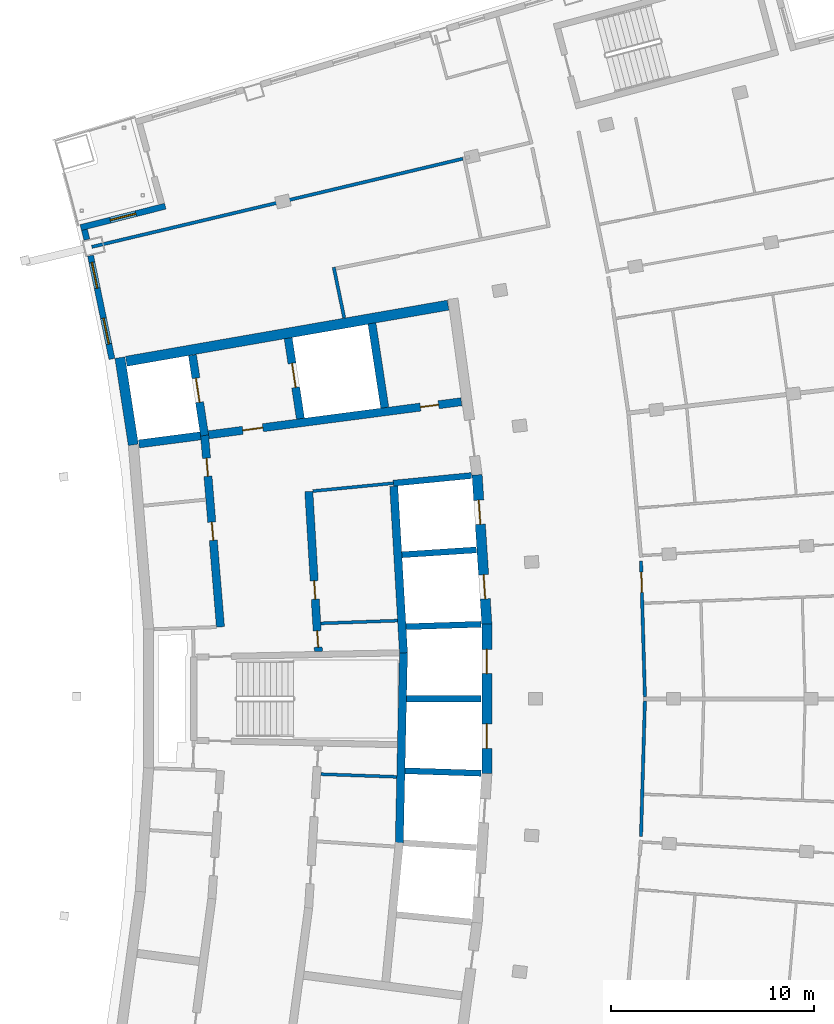
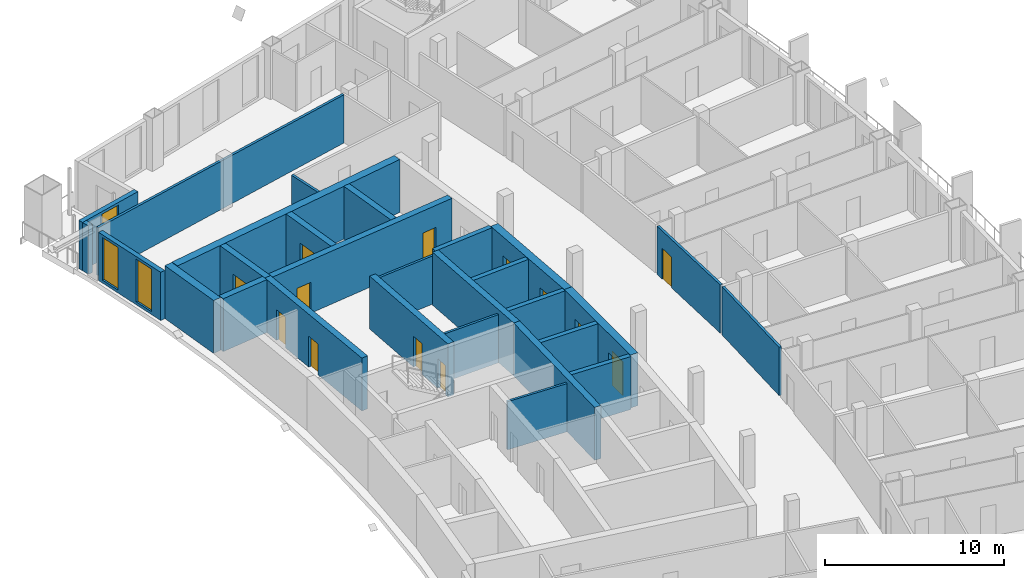
# One storey, part 10 of 17: 28 walls, 13 doors, 3 windows, 16 openings.
"""IFC4 building model written with IfcOpenShell, lengths in metres."""

from ifc_helpers import new_model, si_unit, direction, frame, frame_2d, origin, place, context, subcontext, project, spatial, rectangle, extrude, material, layer, layer_set, type_object, element, fill, save


model = new_model("IFC4")

# Units and contexts
model_context = context("Model", 3, precision=1e-05, world=origin(), true_north=direction((0.0, 1.0)))
body_context = subcontext(model_context, "Body", "Model", "MODEL_VIEW")
ifc_project = project(units=[si_unit("LENGTHUNIT", "METRE"), si_unit("AREAUNIT", "SQUARE_METRE"), si_unit("VOLUMEUNIT", "CUBIC_METRE"), si_unit("PLANEANGLEUNIT", "RADIAN"), si_unit("MASSUNIT", "GRAM", prefix="KILO")], contexts=[model_context])

# Site, building, storey
site_placement = place(None, origin())
site = spatial("IfcSite", under=ifc_project, at=site_placement, CompositionType="ELEMENT")
building_placement = place(site_placement, origin())
building = spatial("IfcBuilding", under=site, at=building_placement, Name="Alderwake Tower", CompositionType="ELEMENT")
storey_placement = place(building_placement, frame((0.0, 0.0, 274.39990234375)))
storey = spatial("IfcBuildingStorey", under=building, at=storey_placement, Name="L68", CompositionType="ELEMENT", Elevation=274.39990234375)

# Walls
ifc_material_1 = material(Name="Gypsum shaft wall system, rated")
ifc_layer_1 = layer(ifc_material_1, 0.14990234375)
ifc_layer_set_1 = layer_set([ifc_layer_1], Name="Core riser partition 150")
wall_type_1 = type_object("IfcWallType", Name="Core riser partition 150", PredefinedType="PARTITIONING", material=ifc_layer_set_1)
wall_1_placement = place(storey_placement, frame((25.1904296875, 57.276611328125, 0.0), z_axis=(0.0, 0.0, 1.0), x_axis=(0.99937350076, -0.035392173974, 0.0)))
element("IfcWall", 1, at=wall_1_placement, inside=storey, type_object=wall_type_1, Name="CW/L68/PR-37_+86", PredefinedType="PARTITIONING", context=body_context, shape_type="SweptSolid", body=[
    extrude(rectangle(XDim=3.752685546875, YDim=0.14990234375, at=frame_2d((1.87646484375, 0.0))), origin(), (0.0, 0.0, 1.0), 3.280029296875),
])
wall_2_placement = place(storey_placement, frame((25.191162109375, 64.723388671875, 0.0), z_axis=(0.0, 0.0, 1.0), x_axis=(0.999373627871, 0.035388584556, 0.0)))
element("IfcWall", 2, at=wall_2_placement, inside=storey, type_object=wall_type_1, Name="CW/L68/PR+37_+86", PredefinedType="PARTITIONING", context=body_context, shape_type="SweptSolid", body=[
    extrude(rectangle(XDim=3.79443359375, YDim=0.14990234375, at=frame_2d((1.897216796875, 0.0))), origin(), (0.0, 0.0, 1.0), 3.280029296875),
])
ifc_material_2 = material(Name="Gypsum shaft wall system, rated")
ifc_layer_2 = layer(ifc_material_2, 0.14990234375)
ifc_layer_set_2 = layer_set([ifc_layer_2], Name="Core room partition 150")
wall_type_2 = type_object("IfcWallType", Name="Core room partition 150", PredefinedType="PARTITIONING", material=ifc_layer_set_2)
wall_3_placement = place(storey_placement, frame((24.799560546875, 71.2548828125, 0.0), z_axis=(0.0, 0.0, 1.0), x_axis=(0.995250000627, 0.097352125046, 0.0)))
element("IfcWall", 3, at=wall_3_placement, inside=storey, type_object=wall_type_2, Name="CW/L68/PR+102_+86", PredefinedType="PARTITIONING", context=body_context, shape_type="SweptSolid", body=[
    extrude(rectangle(XDim=4.0, YDim=0.14990234375, at=frame_2d((2.0, 0.0))), origin(), (0.0, 0.0, 1.0), 3.280029296875),
])
ifc_material_3 = material(Name="Concrete C70/85", Category="concrete")
ifc_layer_3 = layer(ifc_material_3, 0.5)
ifc_layer_set_3 = layer_set([ifc_layer_3], Name="Core wall outer 500 C70-85")
wall_type_3 = type_object("IfcWallType", Name="Core wall outer 500 C70-85", PredefinedType="SHEAR", material=ifc_layer_set_3)
wall_4_placement = place(storey_placement, frame((15.934326171875, 73.5380859375, 0.0), z_axis=(0.0, 0.0, 1.0), x_axis=(-0.151947718368, 0.988388532351, 0.0)))
element("IfcWall", 4, at=wall_4_placement, inside=storey, type_object=wall_type_3, Name="Core wall CW.025", PredefinedType="SHEAR", context=body_context, shape_type="SweptSolid", body=[
    extrude(rectangle(XDim=4.357421875, YDim=0.5, at=frame_2d((2.1787109375, 0.0))), origin(), (0.0, 0.0, 1.0), 3.60009765625),
])

# Wall, openings, doors
wall_5_placement = place(storey_placement, frame((33.389892578125, 57.30322265625, 0.0), z_axis=(0.0, 0.0, 1.0), x_axis=(0.0, 1.0, 0.0)))
wall_5 = element("IfcWall", 5, at=wall_5_placement, inside=storey, type_object=wall_type_3, Name="Core wall CW.023", PredefinedType="SHEAR", context=body_context, shape_type="SweptSolid", body=[
    extrude(rectangle(XDim=7.3935546875, YDim=0.5, at=frame_2d((3.69677734375, 0.0))), origin(), (0.0, 0.0, 1.0), 3.60009765625),
])
opening_1_placement = place(wall_5_placement, frame((1.25244140625, 0.0, 0.0)))
opening_1 = element("IfcOpeningElement", 6, at=opening_1_placement, cuts=wall_5, Name="Opening LD-HP3", PredefinedType="OPENING", context=body_context, shape_type="SweptSolid", body=[
    extrude(rectangle(XDim=1.199951171875, YDim=2.300048828125, at=frame_2d((0.60009765625, 1.14990234375))), frame((0.0, 0.260009765625, 0.0), z_axis=(0.0, -1.0, 0.0), x_axis=(1.0, 0.0, 0.0)), (0.0, 0.0, 1.0), 0.52001953125),
])
opening_2_placement = place(wall_5_placement, frame((4.94091796875, 0.0, 0.0)))
opening_2 = element("IfcOpeningElement", 7, at=opening_2_placement, cuts=wall_5, Name="Opening LD-HP4", PredefinedType="OPENING", context=body_context, shape_type="SweptSolid", body=[
    extrude(rectangle(XDim=1.199951171875, YDim=2.300048828125, at=frame_2d((0.60009765625, 1.14990234375))), frame((0.0, 0.260009765625, 0.0), z_axis=(0.0, -1.0, 0.0), x_axis=(1.0, 0.0, 0.0)), (0.0, 0.0, 1.0), 0.52001953125),
])
ifc_material_4 = material(Name="Stainless steel sliding leaf", Category="steel")
door_type_1 = type_object("IfcDoorType", Name="Lift landing door 1200", OperationType="SLIDING_TO_LEFT", PredefinedType="DOOR", material=ifc_material_4)
door_1_placement = place(opening_1_placement, origin())
door_1 = element("IfcDoor", 8, at=door_1_placement, inside=storey, type_object=door_type_1, Name="Lift landing door HP3", OperationType="SLIDING_TO_LEFT", OverallHeight=2.300048828125, OverallWidth=1.199951171875, PredefinedType="DOOR", context=body_context, shape_type="SweptSolid", body=[
    extrude(rectangle(XDim=1.199951171875, YDim=2.300048828125, at=frame_2d((0.60009765625, 1.14990234375))), frame((0.0, 0.02490234375, 0.0), z_axis=(0.0, -1.0, 0.0), x_axis=(1.0, 0.0, 0.0)), (0.0, 0.0, 1.0), 0.050048828125),
])
fill(opening_1, door_1)
door_2_placement = place(opening_2_placement, origin())
door_2 = element("IfcDoor", 9, at=door_2_placement, inside=storey, type_object=door_type_1, Name="Lift landing door HP4", OperationType="SLIDING_TO_LEFT", OverallHeight=2.300048828125, OverallWidth=1.199951171875, PredefinedType="DOOR", context=body_context, shape_type="SweptSolid", body=[
    extrude(rectangle(XDim=1.199951171875, YDim=2.300048828125, at=frame_2d((0.60009765625, 1.14990234375))), frame((0.0, 0.02490234375, 0.0), z_axis=(0.0, -1.0, 0.0), x_axis=(1.0, 0.0, 0.0)), (0.0, 0.0, 1.0), 0.050048828125),
])
fill(opening_2, door_2)

wall_6_placement = place(storey_placement, frame((33.390625, 64.679443359375, 0.0), z_axis=(0.0, 0.0, 1.0), x_axis=(-0.064980500916, 0.997886533881, 0.0)))
wall_6 = element("IfcWall", 10, at=wall_6_placement, inside=storey, type_object=wall_type_3, Name="Core wall CW.020", PredefinedType="SHEAR", context=body_context, shape_type="SweptSolid", body=[
    extrude(rectangle(XDim=7.39404296875, YDim=0.5, at=frame_2d((3.697021484375, 0.0))), origin(), (0.0, 0.0, 1.0), 3.60009765625),
])
opening_3_placement = place(wall_6_placement, frame((1.25244140625, 0.0, 0.0)))
opening_3 = element("IfcOpeningElement", 11, at=opening_3_placement, cuts=wall_6, Name="Opening LD-HP5", PredefinedType="OPENING", context=body_context, shape_type="SweptSolid", body=[
    extrude(rectangle(XDim=1.199951171875, YDim=2.300048828125, at=frame_2d((0.60009765625, 1.14990234375))), frame((0.0, 0.260009765625, 0.0), z_axis=(0.0, -1.0, 0.0), x_axis=(1.0, 0.0, 0.0)), (0.0, 0.0, 1.0), 0.52001953125),
])
opening_4_placement = place(wall_6_placement, frame((4.94091796875, 0.0, 0.0)))
opening_4 = element("IfcOpeningElement", 12, at=opening_4_placement, cuts=wall_6, Name="Opening LD-HP6", PredefinedType="OPENING", context=body_context, shape_type="SweptSolid", body=[
    extrude(rectangle(XDim=1.199951171875, YDim=2.300048828125, at=frame_2d((0.60009765625, 1.14990234375))), frame((0.0, 0.260009765625, 0.0), z_axis=(0.0, -1.0, 0.0), x_axis=(1.0, 0.0, 0.0)), (0.0, 0.0, 1.0), 0.52001953125),
])
door_3_placement = place(opening_3_placement, origin())
door_3 = element("IfcDoor", 13, at=door_3_placement, inside=storey, type_object=door_type_1, Name="Lift landing door HP5", OperationType="SLIDING_TO_LEFT", OverallHeight=2.300048828125, OverallWidth=1.199951171875, PredefinedType="DOOR", context=body_context, shape_type="SweptSolid", body=[
    extrude(rectangle(XDim=1.199951171875, YDim=2.300048828125, at=frame_2d((0.60009765625, 1.14990234375))), frame((0.0, 0.02490234375, 0.0), z_axis=(0.0, -1.0, 0.0), x_axis=(1.0, 0.0, 0.0)), (0.0, 0.0, 1.0), 0.050048828125),
])
fill(opening_3, door_3)
door_4_placement = place(opening_4_placement, origin())
door_4 = element("IfcDoor", 14, at=door_4_placement, inside=storey, type_object=door_type_1, Name="Lift landing door HP6", OperationType="SLIDING_TO_LEFT", OverallHeight=2.300048828125, OverallWidth=1.199951171875, PredefinedType="DOOR", context=body_context, shape_type="SweptSolid", body=[
    extrude(rectangle(XDim=1.199951171875, YDim=2.300048828125, at=frame_2d((0.60009765625, 1.14990234375))), frame((0.0, 0.02490234375, 0.0), z_axis=(0.0, -1.0, 0.0), x_axis=(1.0, 0.0, 0.0)), (0.0, 0.0, 1.0), 0.050048828125),
])
fill(opening_4, door_4)

# Walls
wall_7_placement = place(storey_placement, frame((15.583251953125, 77.664306640625, 0.0), z_axis=(0.0, 0.0, 1.0), x_axis=(0.985139146221, 0.171758151429, 0.0)))
element("IfcWall", 15, at=wall_7_placement, inside=storey, type_object=wall_type_3, Name="Core wall CW.055", PredefinedType="SHEAR", context=body_context, shape_type="SweptSolid", body=[
    extrude(rectangle(XDim=16.134521484375, YDim=0.5, at=frame_2d((8.0673828125, 0.0))), origin(), (0.0, 0.0, 1.0), 3.60009765625),
])
ifc_material_5 = material(Name="Concrete C70/85", Category="concrete")
ifc_layer_4 = layer(ifc_material_5, 0.300048828125)
ifc_layer_set_4 = layer_set([ifc_layer_4], Name="Core wall shaft 300 C70-85")
wall_type_4 = type_object("IfcWallType", Name="Core wall shaft 300 C70-85", PredefinedType="SHEAR", material=ifc_layer_set_4)
wall_8_placement = place(storey_placement, frame((29.347412109375, 57.443603515625, 0.0), z_axis=(0.0, 0.0, 1.0), x_axis=(0.99946995342, -0.032554757112, 0.0)))
element("IfcWall", 16, at=wall_8_placement, inside=storey, type_object=wall_type_4, Name="Core wall CW.075", PredefinedType="SHEAR", context=body_context, shape_type="SweptSolid", body=[
    extrude(rectangle(XDim=3.7646484375, YDim=0.300048828125, at=frame_2d((1.88232421875, 0.0))), origin(), (0.0, 0.0, 1.0), 3.60009765625),
])
wall_9_placement = place(storey_placement, frame((29.426025390625, 61.0, 0.0), z_axis=(0.0, 0.0, 1.0), x_axis=(1.0, 0.0, 0.0)))
element("IfcWall", 17, at=wall_9_placement, inside=storey, type_object=wall_type_4, Name="Core wall CW.048", PredefinedType="SHEAR", context=body_context, shape_type="SweptSolid", body=[
    extrude(rectangle(XDim=3.68408203125, YDim=0.300048828125, at=frame_2d((1.842041015625, 0.0))), origin(), (0.0, 0.0, 1.0), 3.60009765625),
])
wall_10_placement = place(storey_placement, frame((29.401611328125, 64.558349609375, 0.0), z_axis=(0.0, 0.0, 1.0), x_axis=(0.99947159852, 0.032504211301, 0.0)))
element("IfcWall", 18, at=wall_10_placement, inside=storey, type_object=wall_type_4, Name="Core wall CW.058", PredefinedType="SHEAR", context=body_context, shape_type="SweptSolid", body=[
    extrude(rectangle(XDim=3.71044921875, YDim=0.300048828125, at=frame_2d((1.855224609375, 0.0))), origin(), (0.0, 0.0, 1.0), 3.60009765625),
])
wall_11_placement = place(storey_placement, frame((29.193603515625, 68.110595703125, 0.0), z_axis=(0.0, 0.0, 1.0), x_axis=(0.997885994006, 0.064988791085, 0.0)))
element("IfcWall", 19, at=wall_11_placement, inside=storey, type_object=wall_type_4, Name="Core wall CW.061", PredefinedType="SHEAR", context=body_context, shape_type="SweptSolid", body=[
    extrude(rectangle(XDim=3.685302734375, YDim=0.300048828125, at=frame_2d((1.8427734375, 0.0))), origin(), (0.0, 0.0, 1.0), 3.60009765625),
])
wall_12_placement = place(storey_placement, frame((28.780517578125, 71.644287109375, 0.0), z_axis=(0.0, 0.0, 1.0), x_axis=(0.995244248631, 0.097410910928, 0.0)))
element("IfcWall", 20, at=wall_12_placement, inside=storey, type_object=wall_type_4, Name="Core wall CW.049", PredefinedType="SHEAR", context=body_context, shape_type="SweptSolid", body=[
    extrude(rectangle(XDim=3.86962890625, YDim=0.300048828125, at=frame_2d((1.934814453125, 0.0))), origin(), (0.0, 0.0, 1.0), 3.60009765625),
])

# Wall, openings, doors
ifc_material_6 = material(Name="Concrete C70/85", Category="concrete")
ifc_layer_5 = layer(ifc_material_6, 0.39990234375)
ifc_layer_set_5 = layer_set([ifc_layer_5], Name="Core wall spine 400 C70-85")
wall_type_5 = type_object("IfcWallType", Name="Core wall spine 400 C70-85", PredefinedType="SHEAR", material=ifc_layer_set_5)
wall_13_placement = place(storey_placement, frame((19.452392578125, 74.014892578125, 0.0), z_axis=(0.0, 0.0, 1.0), x_axis=(0.082628585297, -0.996580411654, 0.0)))
wall_13 = element("IfcWall", 21, at=wall_13_placement, inside=storey, type_object=wall_type_5, Name="Core wall CW.031", PredefinedType="SHEAR", context=body_context, shape_type="SweptSolid", body=[
    extrude(rectangle(XDim=9.499267578125, YDim=0.39990234375, at=frame_2d((4.74951171875, 0.0))), origin(), (0.0, 0.0, 1.0), 3.60009765625),
])
opening_5_placement = place(wall_13_placement, frame((4.30322265625, 0.0, 0.0)))
opening_5 = element("IfcOpeningElement", 22, at=opening_5_placement, cuts=wall_13, Name="Opening C052", PredefinedType="OPENING", context=body_context, shape_type="SweptSolid", body=[
    extrude(rectangle(XDim=0.89990234375, YDim=2.10009765625, at=frame_2d((0.449951171875, 1.050048828125))), frame((0.0, 0.2099609375, 0.0), z_axis=(0.0, -1.0, 0.0), x_axis=(1.0, 0.0, 0.0)), (0.0, 0.0, 1.0), 0.419921875),
])
opening_6_placement = place(wall_13_placement, frame((1.138671875, 0.0, 0.0)))
opening_6 = element("IfcOpeningElement", 23, at=opening_6_placement, cuts=wall_13, Name="Opening C056", PredefinedType="OPENING", context=body_context, shape_type="SweptSolid", body=[
    extrude(rectangle(XDim=0.89990234375, YDim=2.10009765625, at=frame_2d((0.449951171875, 1.050048828125))), frame((0.0, 0.2099609375, 0.0), z_axis=(0.0, -1.0, 0.0), x_axis=(1.0, 0.0, 0.0)), (0.0, 0.0, 1.0), 0.419921875),
])
ifc_material_7 = material(Name="Painted steel leaf", Category="steel")
door_type_2 = type_object("IfcDoorType", Name="Core room door 900", OperationType="SINGLE_SWING_LEFT", PredefinedType="DOOR", material=ifc_material_7)
door_5_placement = place(opening_5_placement, origin())
door_5 = element("IfcDoor", 24, at=door_5_placement, inside=storey, type_object=door_type_2, Name="Room door", OperationType="SINGLE_SWING_LEFT", OverallHeight=2.10009765625, OverallWidth=0.89990234375, PredefinedType="DOOR", context=body_context, shape_type="SweptSolid", body=[
    extrude(rectangle(XDim=0.89990234375, YDim=2.10009765625, at=frame_2d((0.449951171875, 1.050048828125))), frame((0.0, 0.02490234375, 0.0), z_axis=(0.0, -1.0, 0.0), x_axis=(1.0, 0.0, 0.0)), (0.0, 0.0, 1.0), 0.050048828125),
])
fill(opening_5, door_5)
door_6_placement = place(opening_6_placement, origin())
door_6 = element("IfcDoor", 25, at=door_6_placement, inside=storey, type_object=door_type_2, Name="Room door", OperationType="SINGLE_SWING_RIGHT", OverallHeight=2.10009765625, OverallWidth=0.89990234375, PredefinedType="DOOR", context=body_context, shape_type="SweptSolid", body=[
    extrude(rectangle(XDim=0.89990234375, YDim=2.10009765625, at=frame_2d((0.449951171875, 1.050048828125))), frame((0.0, 0.02490234375, 0.0), z_axis=(0.0, -1.0, 0.0), x_axis=(1.0, 0.0, 0.0)), (0.0, 0.0, 1.0), 0.050048828125),
])
fill(opening_6, door_6)

# Wall, opening, door
wall_14_placement = place(storey_placement, frame((19.4541015625, 74.00048828125, 0.0), z_axis=(0.0, 0.0, 1.0), x_axis=(-0.149461330246, 0.988767571657, 0.0)))
wall_14 = element("IfcWall", 26, at=wall_14_placement, inside=storey, type_object=wall_type_5, Name="Core wall CW.030", PredefinedType="SHEAR", context=body_context, shape_type="SweptSolid", body=[
    extrude(rectangle(XDim=4.01513671875, YDim=0.39990234375, at=frame_2d((2.007568359375, 0.0))), origin(), (0.0, 0.0, 1.0), 3.60009765625),
])
opening_7_placement = place(wall_14_placement, frame((1.6611328125, 0.0, 0.0)))
opening_7 = element("IfcOpeningElement", 27, at=opening_7_placement, cuts=wall_14, Name="Opening LD-FF1", PredefinedType="OPENING", context=body_context, shape_type="SweptSolid", body=[
    extrude(rectangle(XDim=1.199951171875, YDim=2.300048828125, at=frame_2d((0.60009765625, 1.14990234375))), frame((0.0, 0.2099609375, 0.0), z_axis=(0.0, -1.0, 0.0), x_axis=(1.0, 0.0, 0.0)), (0.0, 0.0, 1.0), 0.419921875),
])
door_7_placement = place(opening_7_placement, origin())
door_7 = element("IfcDoor", 28, at=door_7_placement, inside=storey, type_object=door_type_1, Name="Lift landing door FF1", OperationType="SLIDING_TO_LEFT", OverallHeight=2.300048828125, OverallWidth=1.199951171875, PredefinedType="DOOR", context=body_context, shape_type="SweptSolid", body=[
    extrude(rectangle(XDim=1.199951171875, YDim=2.300048828125, at=frame_2d((0.60009765625, 1.14990234375))), frame((0.0, 0.02490234375, 0.0), z_axis=(0.0, -1.0, 0.0), x_axis=(1.0, 0.0, 0.0)), (0.0, 0.0, 1.0), 0.050048828125),
])
fill(opening_7, door_7)

# Wall, openings, doors
wall_15_placement = place(storey_placement, frame((25.073974609375, 63.335693359375, 0.0), z_axis=(0.0, 0.0, 1.0), x_axis=(-0.059848641072, 0.998207463487, 0.0)))
wall_15 = element("IfcWall", 29, at=wall_15_placement, inside=storey, type_object=wall_type_5, Name="Core wall CW.045", PredefinedType="SHEAR", context=body_context, shape_type="SweptSolid", body=[
    extrude(rectangle(XDim=7.913818359375, YDim=0.39990234375, at=frame_2d((3.95703125, 0.0))), origin(), (0.0, 0.0, 1.0), 3.60009765625),
])
opening_8_placement = place(wall_15_placement, frame((0.216064453125, 0.0, 0.0)))
opening_8 = element("IfcOpeningElement", 30, at=opening_8_placement, cuts=wall_15, Name="Opening C005", PredefinedType="OPENING", context=body_context, shape_type="SweptSolid", body=[
    extrude(rectangle(XDim=0.800048828125, YDim=2.0, at=frame_2d((0.39990234375, 1.0))), frame((0.0, 0.2099609375, 0.0), z_axis=(0.0, -1.0, 0.0), x_axis=(1.0, 0.0, 0.0)), (0.0, 0.0, 1.0), 0.419921875),
])
opening_9_placement = place(wall_15_placement, frame((2.590087890625, 0.0, 0.0)))
opening_9 = element("IfcOpeningElement", 31, at=opening_9_placement, cuts=wall_15, Name="Opening C057", PredefinedType="OPENING", context=body_context, shape_type="SweptSolid", body=[
    extrude(rectangle(XDim=0.89990234375, YDim=2.10009765625, at=frame_2d((0.449951171875, 1.050048828125))), frame((0.0, 0.2099609375, 0.0), z_axis=(0.0, -1.0, 0.0), x_axis=(1.0, 0.0, 0.0)), (0.0, 0.0, 1.0), 0.419921875),
])
door_8_placement = place(opening_9_placement, origin())
door_8 = element("IfcDoor", 32, at=door_8_placement, inside=storey, type_object=door_type_2, Name="Room door", OperationType="SINGLE_SWING_LEFT", OverallHeight=2.10009765625, OverallWidth=0.89990234375, PredefinedType="DOOR", context=body_context, shape_type="SweptSolid", body=[
    extrude(rectangle(XDim=0.89990234375, YDim=2.10009765625, at=frame_2d((0.449951171875, 1.050048828125))), frame((0.0, 0.02490234375, 0.0), z_axis=(0.0, -1.0, 0.0), x_axis=(1.0, 0.0, 0.0)), (0.0, 0.0, 1.0), 0.050048828125),
])
fill(opening_9, door_8)
ifc_material_8 = material(Name="Painted steel leaf, rated", Category="steel")
door_type_3 = type_object("IfcDoorType", Name="Riser access door 800", OperationType="SINGLE_SWING_LEFT", PredefinedType="DOOR", material=ifc_material_8)
door_9_placement = place(opening_8_placement, origin())
door_9 = element("IfcDoor", 33, at=door_9_placement, inside=storey, type_object=door_type_3, Name="Riser access door", OperationType="SINGLE_SWING_LEFT", OverallHeight=2.0, OverallWidth=0.800048828125, PredefinedType="DOOR", context=body_context, shape_type="SweptSolid", body=[
    extrude(rectangle(XDim=0.800048828125, YDim=2.0, at=frame_2d((0.39990234375, 1.0))), frame((0.0, 0.02490234375, 0.0), z_axis=(0.0, -1.0, 0.0), x_axis=(1.0, 0.0, 0.0)), (0.0, 0.0, 1.0), 0.050048828125),
])
fill(opening_8, door_9)

# Wall, opening, door
wall_16_placement = place(storey_placement, frame((24.186279296875, 74.82861328125, 0.0), z_axis=(0.0, 0.0, 1.0), x_axis=(-0.150547717109, 0.988602743711, 0.0)))
wall_16 = element("IfcWall", 34, at=wall_16_placement, inside=storey, type_object=wall_type_5, Name="Core wall CW.044", PredefinedType="SHEAR", context=body_context, shape_type="SweptSolid", body=[
    extrude(rectangle(XDim=4.0234375, YDim=0.39990234375, at=frame_2d((2.01171875, 0.0))), origin(), (0.0, 0.0, 1.0), 3.60009765625),
])
opening_10_placement = place(wall_16_placement, frame((1.561767578125, 0.0, 0.0)))
opening_10 = element("IfcOpeningElement", 35, at=opening_10_placement, cuts=wall_16, Name="Opening LD-FF2", PredefinedType="OPENING", context=body_context, shape_type="SweptSolid", body=[
    extrude(rectangle(XDim=1.199951171875, YDim=2.300048828125, at=frame_2d((0.60009765625, 1.14990234375))), frame((0.0, 0.2099609375, 0.0), z_axis=(0.0, -1.0, 0.0), x_axis=(1.0, 0.0, 0.0)), (0.0, 0.0, 1.0), 0.419921875),
])
door_10_placement = place(opening_10_placement, origin())
door_10 = element("IfcDoor", 36, at=door_10_placement, inside=storey, type_object=door_type_1, Name="Lift landing door FF2", OperationType="SLIDING_TO_LEFT", OverallHeight=2.300048828125, OverallWidth=1.199951171875, PredefinedType="DOOR", context=body_context, shape_type="SweptSolid", body=[
    extrude(rectangle(XDim=1.199951171875, YDim=2.300048828125, at=frame_2d((0.60009765625, 1.14990234375))), frame((0.0, 0.02490234375, 0.0), z_axis=(0.0, -1.0, 0.0), x_axis=(1.0, 0.0, 0.0)), (0.0, 0.0, 1.0), 0.050048828125),
])
fill(opening_10, door_10)

# Walls
wall_17_placement = place(storey_placement, frame((29.06884765625, 53.8896484375, 0.0), z_axis=(0.0, 0.0, 1.0), x_axis=(0.022115722908, 0.99975541749, 0.0)))
element("IfcWall", 37, at=wall_17_placement, inside=storey, type_object=wall_type_5, Name="Core wall CW.008", PredefinedType="SHEAR", context=body_context, shape_type="SweptSolid", body=[
    extrude(rectangle(XDim=9.394287109375, YDim=0.39990234375, at=frame_2d((4.697265625, 0.0))), origin(), (0.0, 0.0, 1.0), 3.60009765625),
])
wall_18_placement = place(storey_placement, frame((29.27685546875, 63.2646484375, 0.0), z_axis=(0.0, 0.0, 1.0), x_axis=(-0.0584546922, 0.998290062537, 0.0)))
element("IfcWall", 38, at=wall_18_placement, inside=storey, type_object=wall_type_5, Name="Core wall CW.002", PredefinedType="SHEAR", context=body_context, shape_type="SweptSolid", body=[
    extrude(rectangle(XDim=8.24462890625, YDim=0.39990234375, at=frame_2d((4.122314453125, 0.0))), origin(), (0.0, 0.0, 1.0), 3.60009765625),
])
wall_19_placement = place(storey_placement, frame((28.350830078125, 75.373291015625, 0.0), z_axis=(0.0, 0.0, 1.0), x_axis=(-0.150576223774, 0.988598402201, 0.0)))
element("IfcWall", 39, at=wall_19_placement, inside=storey, type_object=wall_type_5, Name="Core wall CW.001", PredefinedType="SHEAR", context=body_context, shape_type="SweptSolid", body=[
    extrude(rectangle(XDim=4.21240234375, YDim=0.39990234375, at=frame_2d((2.106201171875, 0.0))), origin(), (0.0, 0.0, 1.0), 3.60009765625),
])
wall_20_placement = place(storey_placement, frame((16.210693359375, 73.583740234375, 0.0), z_axis=(0.0, 0.0, 1.0), x_axis=(0.991560893257, 0.129641794819, 0.0)))
element("IfcWall", 40, at=wall_20_placement, inside=storey, type_object=wall_type_5, Name="Core wall CW.051", PredefinedType="SHEAR", context=body_context, shape_type="SweptSolid", body=[
    extrude(rectangle(XDim=3.069580078125, YDim=0.39990234375, at=frame_2d((1.53466796875, 0.0))), origin(), (0.0, 0.0, 1.0), 3.60009765625),
])

# Wall, openings, doors
wall_21_placement = place(storey_placement, frame((32.132080078125, 75.666015625, 0.0), z_axis=(0.0, 0.0, 1.0), x_axis=(-0.991555139901, -0.129685791576, 0.0)))
wall_21 = element("IfcWall", 41, at=wall_21_placement, inside=storey, type_object=wall_type_5, Name="Core wall CW.052", PredefinedType="SHEAR", context=body_context, shape_type="SweptSolid", body=[
    extrude(rectangle(XDim=12.586669921875, YDim=0.39990234375, at=frame_2d((6.29345703125, 0.0))), origin(), (0.0, 0.0, 1.0), 3.60009765625),
])
opening_11_placement = place(wall_21_placement, frame((9.88720703125, 0.0, 0.0)))
opening_11 = element("IfcOpeningElement", 42, at=opening_11_placement, cuts=wall_21, Name="Opening C002", PredefinedType="OPENING", context=body_context, shape_type="SweptSolid", body=[
    extrude(rectangle(XDim=1.0, YDim=2.10009765625, at=frame_2d((0.5, 1.050048828125))), frame((0.0, 0.2099609375, 0.0), z_axis=(0.0, -1.0, 0.0), x_axis=(1.0, 0.0, 0.0)), (0.0, 0.0, 1.0), 0.419921875),
])
opening_12_placement = place(wall_21_placement, frame((1.13720703125, 0.0, 0.0)))
opening_12 = element("IfcOpeningElement", 43, at=opening_12_placement, cuts=wall_21, Name="Opening C020", PredefinedType="OPENING", context=body_context, shape_type="SweptSolid", body=[
    extrude(rectangle(XDim=0.89990234375, YDim=2.10009765625, at=frame_2d((0.449951171875, 1.050048828125))), frame((0.0, 0.2099609375, 0.0), z_axis=(0.0, -1.0, 0.0), x_axis=(1.0, 0.0, 0.0)), (0.0, 0.0, 1.0), 0.419921875),
])
door_11_placement = place(opening_12_placement, origin())
door_11 = element("IfcDoor", 44, at=door_11_placement, inside=storey, type_object=door_type_2, Name="Room door", OperationType="SINGLE_SWING_LEFT", OverallHeight=2.10009765625, OverallWidth=0.89990234375, PredefinedType="DOOR", context=body_context, shape_type="SweptSolid", body=[
    extrude(rectangle(XDim=0.89990234375, YDim=2.10009765625, at=frame_2d((0.449951171875, 1.050048828125))), frame((0.0, 0.02490234375, 0.0), z_axis=(0.0, -1.0, 0.0), x_axis=(1.0, 0.0, 0.0)), (0.0, 0.0, 1.0), 0.050048828125),
])
fill(opening_12, door_11)
ifc_material_9 = material(Name="Steel-framed fire door leaf", Category="steel")
door_type_4 = type_object("IfcDoorType", Name="Firefighting lobby door 1000 fire-rated", OperationType="SINGLE_SWING_LEFT", PredefinedType="DOOR", material=ifc_material_9)
door_12_placement = place(opening_11_placement, origin())
door_12 = element("IfcDoor", 45, at=door_12_placement, inside=storey, type_object=door_type_4, Name="Firefighting lobby door", OperationType="SINGLE_SWING_RIGHT", OverallHeight=2.10009765625, OverallWidth=1.0, PredefinedType="DOOR", context=body_context, shape_type="SweptSolid", body=[
    extrude(rectangle(XDim=1.0, YDim=2.10009765625, at=frame_2d((0.5, 1.050048828125))), frame((0.0, 0.02490234375, 0.0), z_axis=(0.0, -1.0, 0.0), x_axis=(1.0, 0.0, 0.0)), (0.0, 0.0, 1.0), 0.050048828125),
])
fill(opening_11, door_12)

# Walls
ifc_material_10 = material(Name="Gypsum board on metal studs, rated")
ifc_layer_6 = layer(ifc_material_10, 0.159912109375)
ifc_layer_set_6 = layer_set([ifc_layer_6], Name="Corridor wall 160")
wall_type_6 = type_object("IfcWallType", Name="Corridor wall 160", PredefinedType="PARTITIONING", material=ifc_layer_set_6)
wall_22_placement = place(storey_placement, frame((25.831787109375, 82.305419921875, 0.0), z_axis=(0.0, 0.0, 1.0), x_axis=(0.202450797205, -0.979292435747, 0.0)))
element("IfcWall", 46, at=wall_22_placement, inside=storey, type_object=wall_type_6, Name="WL/L68/W09", PredefinedType="PARTITIONING", context=body_context, shape_type="SweptSolid", body=[
    extrude(rectangle(XDim=2.555419921875, YDim=0.159912109375, at=frame_2d((1.27783203125, 0.0))), origin(), (0.0, 0.0, 1.0), 3.280029296875),
])
wall_23_placement = place(storey_placement, frame((32.200927734375, 87.66650390625, 0.0), z_axis=(0.0, 0.0, 1.0), x_axis=(-0.972897690171, -0.231235993004, 0.0)))
element("IfcWall", 47, at=wall_23_placement, inside=storey, type_object=wall_type_6, Name="WL/L68/W10", PredefinedType="PARTITIONING", context=body_context, shape_type="SweptSolid", body=[
    extrude(rectangle(XDim=18.8271484375, YDim=0.159912109375, at=frame_2d((9.41357421875, 0.0))), origin(), (0.0, 0.0, 1.0), 3.280029296875),
])
wall_24_placement = place(storey_placement, frame((41.002685546875, 54.20068359375, 0.0), z_axis=(0.0, 0.0, 1.0), x_axis=(0.028855161601, 0.999583603131, 0.0)))
element("IfcWall", 48, at=wall_24_placement, inside=storey, type_object=wall_type_6, Name="WL/L68/W23", PredefinedType="PARTITIONING", context=body_context, shape_type="SweptSolid", body=[
    extrude(rectangle(XDim=6.700927734375, YDim=0.159912109375, at=frame_2d((3.3505859375, 0.0))), origin(), (0.0, 0.0, 1.0), 3.280029296875),
])

# Wall, opening, door
wall_25_placement = place(storey_placement, frame((41.002685546875, 67.80029296875, 0.0), z_axis=(0.0, 0.0, 1.0), x_axis=(0.0288425569, -0.999583966914, 0.0)))
wall_25 = element("IfcWall", 49, at=wall_25_placement, inside=storey, type_object=wall_type_6, Name="WL/L68/W25", PredefinedType="PARTITIONING", context=body_context, shape_type="SweptSolid", body=[
    extrude(rectangle(XDim=6.703857421875, YDim=0.159912109375, at=frame_2d((3.35205078125, 0.0))), origin(), (0.0, 0.0, 1.0), 3.280029296875),
])
opening_13_placement = place(wall_25_placement, frame((0.54541015625, 0.0, 0.0)))
opening_13 = element("IfcOpeningElement", 50, at=opening_13_placement, cuts=wall_25, Name="Opening R19-U05.2", PredefinedType="OPENING", context=body_context, shape_type="SweptSolid", body=[
    extrude(rectangle(XDim=1.0, YDim=2.10009765625, at=frame_2d((0.5, 1.050048828125))), frame((0.0, 0.08984375, 0.0), z_axis=(0.0, -1.0, 0.0), x_axis=(1.0, 0.0, 0.0)), (0.0, 0.0, 1.0), 0.179931640625),
])
ifc_material_11 = material(Name="Solid timber leaf in steel frame", Category="steel")
door_type_5 = type_object("IfcDoorType", Name="Flat entrance door 1000 fire-rated", OperationType="SINGLE_SWING_LEFT", PredefinedType="DOOR", material=ifc_material_11)
door_13_placement = place(opening_13_placement, origin())
door_13 = element("IfcDoor", 51, at=door_13_placement, inside=storey, type_object=door_type_5, Name="DR/L68/U05.2", OperationType="SINGLE_SWING_LEFT", OverallHeight=2.10009765625, OverallWidth=1.0, PredefinedType="DOOR", context=body_context, shape_type="SweptSolid", body=[
    extrude(rectangle(XDim=1.0, YDim=2.10009765625, at=frame_2d((0.5, 1.050048828125))), frame((0.0, 0.02490234375, 0.0), z_axis=(0.0, -1.0, 0.0), x_axis=(1.0, 0.0, 0.0)), (0.0, 0.0, 1.0), 0.050048828125),
])
fill(opening_13, door_13)

# Wall
ifc_material_12 = material(Name="Precast concrete C50/60 spandrel panel", Category="concrete")
ifc_layer_7 = layer(ifc_material_12, 0.300048828125)
ifc_layer_set_7 = layer_set([ifc_layer_7], Name="External wall EW1 Precast concrete C50/60 spandrel")
wall_type_7 = type_object("IfcWallType", Name="External wall EW1 Precast concrete C50/60 spandrel", PredefinedType="SOLIDWALL", material=ifc_layer_set_7)
wall_26_placement = place(storey_placement, frame((13.523193359375, 84.1572265625, 0.0), z_axis=(0.0, 0.0, 1.0), x_axis=(0.238653145818, -0.971104873838, 0.0)))
element("IfcWall", 52, at=wall_26_placement, inside=storey, type_object=wall_type_7, Name="External wall 30", PredefinedType="SOLIDWALL", context=body_context, shape_type="SweptSolid", body=[
    extrude(rectangle(XDim=0.50341796875, YDim=0.300048828125, at=frame_2d((0.251708984375, 0.0))), origin(), (0.0, 0.0, 1.0), 3.280029296875),
])

# Wall, openings, windows
wall_27_placement = place(storey_placement, frame((13.821533203125, 82.879638671875, 0.0), z_axis=(0.0, 0.0, 1.0), x_axis=(0.202760516883, -0.979228355795, 0.0)))
wall_27 = element("IfcWall", 53, at=wall_27_placement, inside=storey, type_object=wall_type_7, Name="External wall 31", PredefinedType="SOLIDWALL", context=body_context, shape_type="SweptSolid", body=[
    extrude(rectangle(XDim=5.211181640625, YDim=0.300048828125, at=frame_2d((2.60546875, 0.0))), origin(), (0.0, 0.0, 1.0), 3.280029296875),
])
opening_14_placement = place(wall_27_placement, frame((0.342041015625, 0.0, 0.199951171875)))
opening_14 = element("IfcOpeningElement", 54, at=opening_14_placement, cuts=wall_27, Name="Opening W1", PredefinedType="OPENING", context=body_context, shape_type="SweptSolid", body=[
    extrude(rectangle(XDim=1.300048828125, YDim=2.89990234375, at=frame_2d((0.64990234375, 1.449951171875))), frame((0.0, 0.159912109375, 0.0), z_axis=(0.0, -1.0, 0.0), x_axis=(1.0, 0.0, 0.0)), (0.0, 0.0, 1.0), 0.320068359375),
])
opening_15_placement = place(wall_27_placement, frame((3.15478515625, 0.0, 0.199951171875)))
opening_15 = element("IfcOpeningElement", 55, at=opening_15_placement, cuts=wall_27, Name="Opening W1", PredefinedType="OPENING", context=body_context, shape_type="SweptSolid", body=[
    extrude(rectangle(XDim=1.300048828125, YDim=2.89990234375, at=frame_2d((0.64990234375, 1.449951171875))), frame((0.0, 0.159912109375, 0.0), z_axis=(0.0, -1.0, 0.0), x_axis=(1.0, 0.0, 0.0)), (0.0, 0.0, 1.0), 0.320068359375),
])
ifc_material_13 = material(Name="Bronze tinted glass in aluminium frame", Category="aluminium")
window_type = type_object("IfcWindowType", Name="Window W1 tall fixed and vent", PartitioningType="DOUBLE_PANEL_VERTICAL", PredefinedType="WINDOW", material=ifc_material_13)
window_1_placement = place(opening_14_placement, origin())
window_1 = element("IfcWindow", 56, at=window_1_placement, inside=storey, type_object=window_type, Name="Window W1 tall fixed and vent", OverallHeight=2.89990234375, OverallWidth=1.300048828125, PartitioningType="DOUBLE_PANEL_VERTICAL", PredefinedType="WINDOW", context=body_context, shape_type="SweptSolid", body=[
    extrude(rectangle(XDim=1.300048828125, YDim=2.89990234375, at=frame_2d((0.64990234375, 1.449951171875))), frame((0.0, 0.030029296875, 0.0), z_axis=(0.0, -1.0, 0.0), x_axis=(1.0, 0.0, 0.0)), (0.0, 0.0, 1.0), 0.06005859375),
])
fill(opening_14, window_1)
window_2_placement = place(opening_15_placement, origin())
window_2 = element("IfcWindow", 57, at=window_2_placement, inside=storey, type_object=window_type, Name="Window W1 tall fixed and vent", OverallHeight=2.89990234375, OverallWidth=1.300048828125, PartitioningType="DOUBLE_PANEL_VERTICAL", PredefinedType="WINDOW", context=body_context, shape_type="SweptSolid", body=[
    extrude(rectangle(XDim=1.300048828125, YDim=2.89990234375, at=frame_2d((0.64990234375, 1.449951171875))), frame((0.0, 0.030029296875, 0.0), z_axis=(0.0, -1.0, 0.0), x_axis=(1.0, 0.0, 0.0)), (0.0, 0.0, 1.0), 0.06005859375),
])
fill(opening_15, window_2)

# Wall, opening, window
ifc_material_14 = material(Name="Bronze metal cladding on lightweight framing")
ifc_layer_8 = layer(ifc_material_14, 0.300048828125)
ifc_layer_set_8 = layer_set([ifc_layer_8], Name="External wall EW2 bronze metal cladding")
wall_type_8 = type_object("IfcWallType", Name="External wall EW2 bronze metal cladding", PredefinedType="SOLIDWALL", material=ifc_layer_set_8)
wall_28_placement = place(storey_placement, frame((17.51611328125, 85.32275390625, 0.0), z_axis=(0.0, 0.0, 1.0), x_axis=(-0.969417740682, -0.245416470617, 0.0)))
wall_28 = element("IfcWall", 58, at=wall_28_placement, inside=storey, type_object=wall_type_8, Name="External wall 29", PredefinedType="SOLIDWALL", context=body_context, shape_type="SweptSolid", body=[
    extrude(rectangle(XDim=4.305419921875, YDim=0.300048828125, at=frame_2d((2.15283203125, 0.0))), origin(), (0.0, 0.0, 1.0), 3.280029296875),
])
opening_16_placement = place(wall_28_placement, frame((1.502685546875, 0.0, 0.199951171875)))
opening_16 = element("IfcOpeningElement", 59, at=opening_16_placement, cuts=wall_28, Name="Opening W1", PredefinedType="OPENING", context=body_context, shape_type="SweptSolid", body=[
    extrude(rectangle(XDim=1.300048828125, YDim=2.89990234375, at=frame_2d((0.64990234375, 1.449951171875))), frame((0.0, 0.159912109375, 0.0), z_axis=(0.0, -1.0, 0.0), x_axis=(1.0, 0.0, 0.0)), (0.0, 0.0, 1.0), 0.320068359375),
])
window_3_placement = place(opening_16_placement, origin())
window_3 = element("IfcWindow", 60, at=window_3_placement, inside=storey, type_object=window_type, Name="Window W1 tall fixed and vent", OverallHeight=2.89990234375, OverallWidth=1.300048828125, PartitioningType="DOUBLE_PANEL_VERTICAL", PredefinedType="WINDOW", context=body_context, shape_type="SweptSolid", body=[
    extrude(rectangle(XDim=1.300048828125, YDim=2.89990234375, at=frame_2d((0.64990234375, 1.449951171875))), frame((0.0, 0.030029296875, 0.0), z_axis=(0.0, -1.0, 0.0), x_axis=(1.0, 0.0, 0.0)), (0.0, 0.0, 1.0), 0.06005859375),
])
fill(opening_16, window_3)

save(model, "model.ifc")
